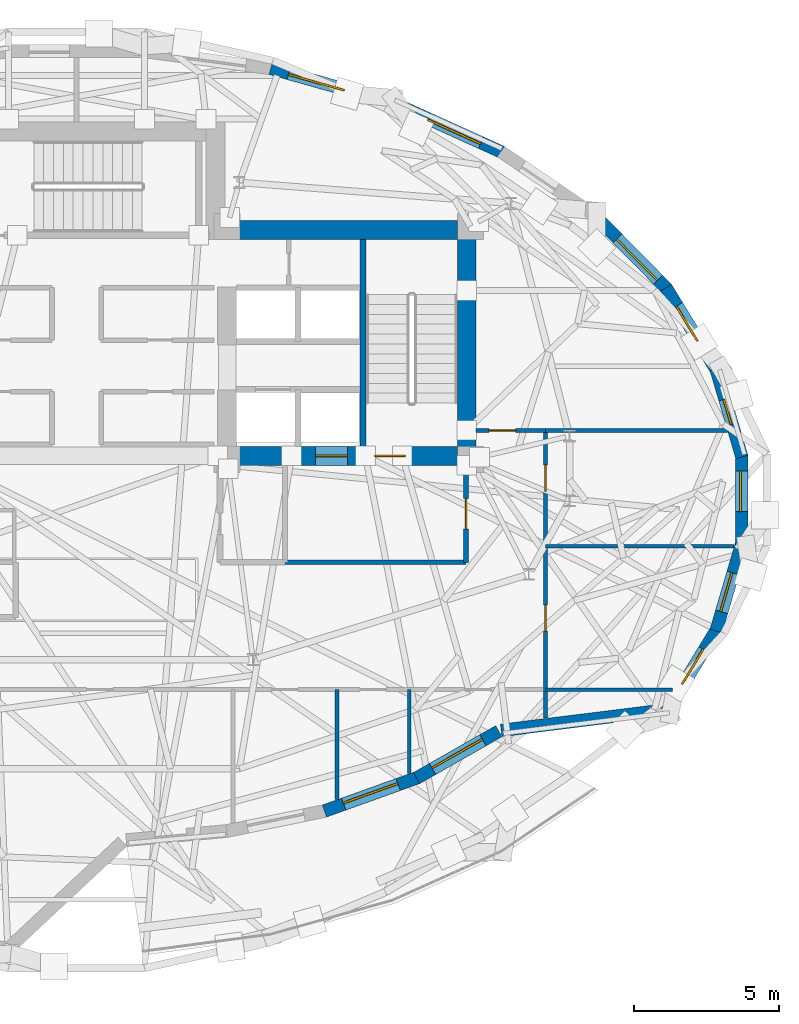
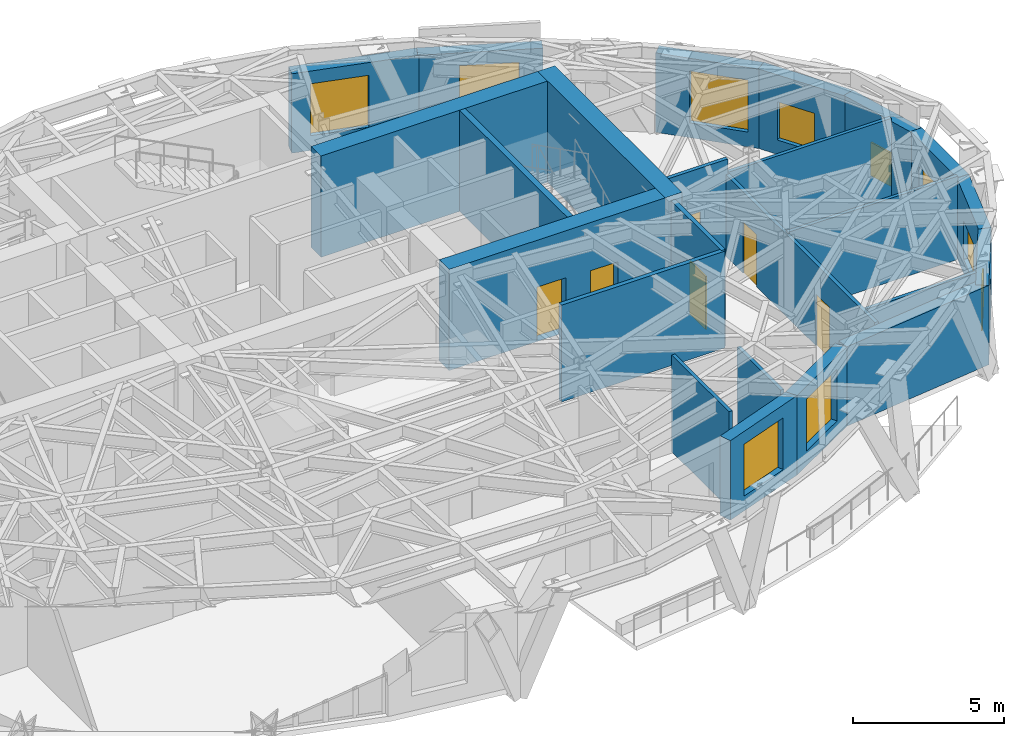
# One storey, part 11 of 15: 24 walls, 10 windows, 6 doors, 16 openings.
"""IFC4 building model written with IfcOpenShell, lengths in metres."""

from ifc_helpers import new_model, si_unit, direction, frame, frame_2d, origin, place, context, subcontext, project, spatial, rectangle, extrude, material, layer, layer_set, type_object, element, fill, save


model = new_model("IFC4")

# Units and contexts
model_context = context("Model", 3, precision=1e-05, world=origin(), true_north=direction((0.0, 1.0)))
body_context = subcontext(model_context, "Body", "Model", "MODEL_VIEW")
ifc_project = project(units=[si_unit("LENGTHUNIT", "METRE"), si_unit("AREAUNIT", "SQUARE_METRE"), si_unit("VOLUMEUNIT", "CUBIC_METRE"), si_unit("PLANEANGLEUNIT", "RADIAN"), si_unit("MASSUNIT", "GRAM", prefix="KILO")], contexts=[model_context])

# Site, building, storey
site_placement = place(None, origin())
site = spatial("IfcSite", under=ifc_project, at=site_placement, CompositionType="ELEMENT")
building_placement = place(site_placement, origin())
building = spatial("IfcBuilding", under=site, at=building_placement, Name="Keldmark Tower", CompositionType="ELEMENT")
storey_placement = place(building_placement, frame((0.0, 0.0, 205.89990234375)))
storey = spatial("IfcBuildingStorey", under=building, at=storey_placement, Name="L57", CompositionType="ELEMENT", Elevation=205.89990234375)

# Wall, openings, doors
ifc_material_1 = material(Name="Acoustic Double-Layer Gypsum Corridor Partition", Category="gypsum")
ifc_layer_1 = layer(ifc_material_1, 0.139892578125)
ifc_layer_set_1 = layer_set([ifc_layer_1], Name="Acoustic Double-Layer Gypsum Corridor Partition")
wall_type_1 = type_object("IfcWallType", Name="Acoustic Corridor Partition 140 mm", PredefinedType="PARTITIONING", material=ifc_layer_set_1)
wall_1_placement = place(storey_placement, frame((16.199951171875, -7.53662109375, 0.0), z_axis=(0.0, 0.0, 1.0), x_axis=(0.0, 1.0, 0.0)))
wall_1 = element("IfcWall", 1, at=wall_1_placement, inside=storey, type_object=wall_type_1, Name="L57 Acoustic Corridor Partition 140 mm COR-E", PredefinedType="PARTITIONING", context=body_context, shape_type="SweptSolid", body=[
    extrude(rectangle(XDim=9.9365234375, YDim=0.139892578125, at=frame_2d((4.96826171875, 0.0))), origin(), (0.0, 0.0, 1.0), 3.30712890625),
])
opening_1_placement = place(wall_1_placement, frame((3.011474609375, 0.0, 0.0)))
opening_1 = element("IfcOpeningElement", 2, at=opening_1_placement, cuts=wall_1, Name="Opening D-IN090", PredefinedType="OPENING", context=body_context, shape_type="SweptSolid", body=[
    extrude(rectangle(XDim=0.89990234375, YDim=2.10009765625, at=frame_2d((0.449951171875, 1.050048828125))), frame((0.0, 0.079833984375, 0.0), z_axis=(0.0, -1.0, 0.0), x_axis=(1.0, 0.0, 0.0)), (0.0, 0.0, 1.0), 0.159912109375),
])
opening_2_placement = place(wall_1_placement, frame((7.846435546875, 0.0, 0.0)))
opening_2 = element("IfcOpeningElement", 3, at=opening_2_placement, cuts=wall_1, Name="Opening D-IN090", PredefinedType="OPENING", context=body_context, shape_type="SweptSolid", body=[
    extrude(rectangle(XDim=0.89990234375, YDim=2.10009765625, at=frame_2d((0.449951171875, 1.050048828125))), frame((0.0, 0.079833984375, 0.0), z_axis=(0.0, -1.0, 0.0), x_axis=(1.0, 0.0, 0.0)), (0.0, 0.0, 1.0), 0.159912109375),
])
ifc_material_2 = material(Name="Stained American White Oak Veneer", Category="wood")
door_type_1 = type_object("IfcDoorType", Name="Interior Door 900x2100", OperationType="NOTDEFINED", PredefinedType="DOOR", material=ifc_material_2)
door_1_placement = place(opening_1_placement, origin())
door_1 = element("IfcDoor", 4, at=door_1_placement, inside=storey, type_object=door_type_1, Name="L57 Interior Door 900x2100 D-ER-1-L57", OperationType="SINGLE_SWING_LEFT", OverallHeight=2.10009765625, OverallWidth=0.89990234375, PredefinedType="DOOR", context=body_context, shape_type="SweptSolid", body=[
    extrude(rectangle(XDim=0.89990234375, YDim=2.10009765625, at=frame_2d((0.449951171875, 1.050048828125))), frame((0.0, 0.02490234375, 0.0), z_axis=(0.0, -1.0, 0.0), x_axis=(1.0, 0.0, 0.0)), (0.0, 0.0, 1.0), 0.050048828125),
])
fill(opening_1, door_1)
door_2_placement = place(opening_2_placement, origin())
door_2 = element("IfcDoor", 5, at=door_2_placement, inside=storey, type_object=door_type_1, Name="L57 Interior Door 900x2100 D-ER-2-L57", OperationType="SINGLE_SWING_RIGHT", OverallHeight=2.10009765625, OverallWidth=0.89990234375, PredefinedType="DOOR", context=body_context, shape_type="SweptSolid", body=[
    extrude(rectangle(XDim=0.89990234375, YDim=2.10009765625, at=frame_2d((0.449951171875, 1.050048828125))), frame((0.0, 0.02490234375, 0.0), z_axis=(0.0, -1.0, 0.0), x_axis=(1.0, 0.0, 0.0)), (0.0, 0.0, 1.0), 0.050048828125),
])
fill(opening_2, door_2)

# Wall, opening, door
wall_2_placement = place(storey_placement, frame((13.800048828125, 2.39990234375, 0.0), z_axis=(0.0, 0.0, 1.0), x_axis=(1.0, 0.0, 0.0)))
wall_2 = element("IfcWall", 6, at=wall_2_placement, inside=storey, type_object=wall_type_1, Name="L57 Acoustic Corridor Partition 140 mm COR-EN-CAP", PredefinedType="PARTITIONING", context=body_context, shape_type="SweptSolid", body=[
    extrude(rectangle(XDim=2.39990234375, YDim=0.139892578125, at=frame_2d((1.199951171875, 0.0))), origin(), (0.0, 0.0, 1.0), 3.920166015625),
])
opening_3_placement = place(wall_2_placement, frame((0.43994140625, 0.0, 0.0)))
opening_3 = element("IfcOpeningElement", 7, at=opening_3_placement, cuts=wall_2, Name="Opening D-EX092", PredefinedType="OPENING", context=body_context, shape_type="SweptSolid", body=[
    extrude(rectangle(XDim=0.919921875, YDim=2.14990234375, at=frame_2d((0.4599609375, 1.074951171875))), frame((0.0, 0.079833984375, 0.0), z_axis=(0.0, -1.0, 0.0), x_axis=(1.0, 0.0, 0.0)), (0.0, 0.0, 1.0), 0.159912109375),
])
ifc_material_3 = material(Name="Flush American Ash Executive Office Door", Category="wood")
door_type_2 = type_object("IfcDoorType", Name="Executive Office Door 920x2150", OperationType="NOTDEFINED", PredefinedType="DOOR", material=ifc_material_3)
door_3_placement = place(opening_3_placement, origin())
door_3 = element("IfcDoor", 8, at=door_3_placement, inside=storey, type_object=door_type_2, Name="L57 Executive Office Door 920x2150 D-NRNE-L57", OperationType="SINGLE_SWING_RIGHT", OverallHeight=2.14990234375, OverallWidth=0.919921875, PredefinedType="DOOR", context=body_context, shape_type="SweptSolid", body=[
    extrude(rectangle(XDim=0.919921875, YDim=2.14990234375, at=frame_2d((0.4599609375, 1.074951171875))), frame((0.0, 0.02490234375, 0.0), z_axis=(0.0, -1.0, 0.0), x_axis=(1.0, 0.0, 0.0)), (0.0, 0.0, 1.0), 0.050048828125),
])
fill(opening_3, door_3)

# Walls
ifc_material_4 = material(Name="Acoustic Gypsum Board Interior Partition", Category="gypsum")
ifc_layer_2 = layer(ifc_material_4, 0.1298828125)
ifc_layer_set_2 = layer_set([ifc_layer_2], Name="Acoustic Gypsum Board Interior Partition")
wall_type_2 = type_object("IfcWallType", Name="Interior Partition 130 mm", PredefinedType="PARTITIONING", material=ifc_layer_set_2)
wall_3_placement = place(storey_placement, frame((8.991943359375, -10.344482421875, 0.0), z_axis=(0.0, 0.0, 1.0), x_axis=(0.0, 1.0, 0.0)))
element("IfcWall", 9, at=wall_3_placement, inside=storey, type_object=wall_type_2, Name="L57 Interior Partition 130 mm S-DIV-3", PredefinedType="PARTITIONING", context=body_context, shape_type="SweptSolid", body=[
    extrude(rectangle(XDim=3.79443359375, YDim=0.1298828125, at=frame_2d((1.897216796875, 0.0))), origin(), (0.0, 0.0, 1.0), 3.920166015625),
])
wall_4_placement = place(storey_placement, frame((11.491943359375, -9.4462890625, 0.0), z_axis=(0.0, 0.0, 1.0), x_axis=(0.0, 1.0, 0.0)))
element("IfcWall", 10, at=wall_4_placement, inside=storey, type_object=wall_type_2, Name="L57 Interior Partition 130 mm S-DIV-4", PredefinedType="PARTITIONING", context=body_context, shape_type="SweptSolid", body=[
    extrude(rectangle(XDim=2.896240234375, YDim=0.1298828125, at=frame_2d((1.4482421875, 0.0))), origin(), (0.0, 0.0, 1.0), 3.373046875),
])
wall_5_placement = place(storey_placement, frame((16.199951171875, 2.39990234375, 0.0), z_axis=(0.0, 0.0, 1.0), x_axis=(1.0, 0.0, 0.0)))
element("IfcWall", 11, at=wall_5_placement, inside=storey, type_object=wall_type_2, Name="L57 Interior Partition 130 mm E-CAP-N", PredefinedType="PARTITIONING", context=body_context, shape_type="SweptSolid", body=[
    extrude(rectangle(XDim=6.271240234375, YDim=0.1298828125, at=frame_2d((3.1357421875, 0.0))), origin(), (0.0, 0.0, 1.0), 3.373046875),
])
wall_6_placement = place(storey_placement, frame((16.199951171875, -6.550048828125, 0.0), z_axis=(0.0, 0.0, 1.0), x_axis=(1.0, 0.0, 0.0)))
element("IfcWall", 12, at=wall_6_placement, inside=storey, type_object=wall_type_2, Name="L57 Interior Partition 130 mm E-CAP-S", PredefinedType="PARTITIONING", context=body_context, shape_type="SweptSolid", body=[
    extrude(rectangle(XDim=4.37255859375, YDim=0.1298828125, at=frame_2d((2.186279296875, 0.0))), origin(), (0.0, 0.0, 1.0), 3.217041015625),
])
wall_7_placement = place(storey_placement, frame((16.199951171875, -1.60009765625, 0.0), z_axis=(0.0, 0.0, 1.0), x_axis=(1.0, 0.0, 0.0)))
element("IfcWall", 13, at=wall_7_placement, inside=storey, type_object=wall_type_2, Name="L57 Interior Partition 130 mm E-DIV-1", PredefinedType="PARTITIONING", context=body_context, shape_type="SweptSolid", body=[
    extrude(rectangle(XDim=6.505859375, YDim=0.1298828125, at=frame_2d((3.2529296875, 0.0))), origin(), (0.0, 0.0, 1.0), 3.373046875),
])
ifc_material_5 = material(Name="Type X Fire-Rated Gypsum Partition Assembly", Category="gypsum")
ifc_layer_3 = layer(ifc_material_5, 0.1650390625)
ifc_layer_set_3 = layer_set([ifc_layer_3], Name="Type X Fire-Rated Gypsum Partition Assembly")
wall_type_3 = type_object("IfcWallType", Name="Rated Partition 165 mm", PredefinedType="PARTITIONING", material=ifc_layer_set_3)
wall_8_placement = place(storey_placement, frame((7.199951171875, -2.14990234375, 0.0), z_axis=(0.0, 0.0, 1.0), x_axis=(1.0, 0.0, 0.0)))
element("IfcWall", 14, at=wall_8_placement, inside=storey, type_object=wall_type_3, Name="L57 Rated Partition 165 mm FSAE-E-S", PredefinedType="PARTITIONING", context=body_context, shape_type="SweptSolid", body=[
    extrude(rectangle(XDim=6.25, YDim=0.1650390625, at=frame_2d((3.125, 0.0))), origin(), (0.0, 0.0, 1.0), 3.920166015625),
])

# Wall, opening, door
wall_9_placement = place(storey_placement, frame((13.449951171875, -2.14990234375, 0.0), z_axis=(0.0, 0.0, 1.0), x_axis=(0.0, 1.0, 0.0)))
wall_9 = element("IfcWall", 15, at=wall_9_placement, inside=storey, type_object=wall_type_3, Name="L57 Rated Partition 165 mm FSAE-E-E", PredefinedType="PARTITIONING", context=body_context, shape_type="SweptSolid", body=[
    extrude(rectangle(XDim=3.39990234375, YDim=0.1650390625, at=frame_2d((1.699951171875, 0.0))), origin(), (0.0, 0.0, 1.0), 3.920166015625),
])
opening_4_placement = place(wall_9_placement, frame((1.14990234375, 0.0, 0.0)))
opening_4 = element("IfcOpeningElement", 16, at=opening_4_placement, cuts=wall_9, Name="Opening D-FL105", PredefinedType="OPENING", context=body_context, shape_type="SweptSolid", body=[
    extrude(rectangle(XDim=1.050048828125, YDim=2.14990234375, at=frame_2d((0.52490234375, 1.074951171875))), frame((0.0, 0.092529296875, 0.0), z_axis=(0.0, -1.0, 0.0), x_axis=(1.0, 0.0, 0.0)), (0.0, 0.0, 1.0), 0.18505859375),
])
ifc_material_6 = material(Name="Fire-Rated Mineral-Core Door and Vision Lite", Category="metal")
door_type_3 = type_object("IfcDoorType", Name="Fire Lobby Door 1050x2150", OperationType="NOTDEFINED", PredefinedType="DOOR", material=ifc_material_6)
door_4_placement = place(opening_4_placement, origin())
door_4 = element("IfcDoor", 17, at=door_4_placement, inside=storey, type_object=door_type_3, Name="L57 Fire Lobby Door 1050x2150 D-FSAEE-OUT-L57", OperationType="SINGLE_SWING_LEFT", OverallHeight=2.14990234375, OverallWidth=1.050048828125, PredefinedType="DOOR", context=body_context, shape_type="SweptSolid", body=[
    extrude(rectangle(XDim=1.050048828125, YDim=2.14990234375, at=frame_2d((0.52490234375, 1.074951171875))), frame((0.0, 0.02490234375, 0.0), z_axis=(0.0, -1.0, 0.0), x_axis=(1.0, 0.0, 0.0)), (0.0, 0.0, 1.0), 0.050048828125),
])
fill(opening_4, door_4)

# Wall
ifc_material_7 = material(Name="Concrete C50/60", Category="concrete")
ifc_layer_4 = layer(ifc_material_7, 0.219970703125)
ifc_layer_set_4 = layer_set([ifc_layer_4], Name="Concrete C50/60")
wall_type_4 = type_object("IfcWallType", Name="Stair Core Shear Wall 220 mm", PredefinedType="SHEAR", material=ifc_layer_set_4)
wall_10_placement = place(storey_placement, frame((9.889892578125, 1.85009765625, 0.0), z_axis=(0.0, 0.0, 1.0), x_axis=(0.0, 1.0, 0.0)))
element("IfcWall", 18, at=wall_10_placement, inside=storey, type_object=wall_type_4, Name="L57 East Stair Core Shear Wall", PredefinedType="SHEAR", context=body_context, shape_type="SweptSolid", body=[
    extrude(rectangle(XDim=7.14990234375, YDim=0.219970703125, at=frame_2d((3.574951171875, 0.0))), origin(), (0.0, 0.0, 1.0), 4.10009765625),
])

# Wall, opening, window
ifc_material_8 = material(Name="Ironspot Manganese Brick and Kasota Buff Limestone Spandrel Assembly", Category="masonry")
ifc_layer_5 = layer(ifc_material_8, 0.43994140625)
ifc_layer_set_5 = layer_set([ifc_layer_5], Name="Ironspot Manganese Brick and Kasota Buff Limestone Spandrel Assembly")
wall_type_5 = type_object("IfcWallType", Name="Tower Brick Pier and Spandrel Wall 440 mm", PredefinedType="STANDARD", material=ifc_layer_set_5)
wall_11_placement = place(storey_placement, frame((22.085693359375, 4.524658203125, 0.0), z_axis=(0.0, 0.0, 1.0), x_axis=(0.281477355005, -0.959567870773, 0.0)))
wall_11 = element("IfcWall", 19, at=wall_11_placement, inside=storey, type_object=wall_type_5, Name="L57 Exterior Brick and Spandrel Wall 01", PredefinedType="STANDARD", context=body_context, shape_type="SweptSolid", body=[
    extrude(rectangle(XDim=3.165771484375, YDim=0.43994140625, at=frame_2d((1.5830078125, 0.0))), origin(), (0.0, 0.0, 1.0), 3.215087890625),
])
opening_5_placement = place(wall_11_placement, frame((1.083740234375, 0.0, 0.419921875)))
opening_5 = element("IfcOpeningElement", 20, at=opening_5_placement, cuts=wall_11, Name="Opening W-09", PredefinedType="OPENING", context=body_context, shape_type="SweptSolid", body=[
    extrude(rectangle(XDim=0.89990234375, YDim=1.35009765625, at=frame_2d((0.449951171875, 0.675048828125))), frame((0.0, 0.22998046875, 0.0), z_axis=(0.0, -1.0, 0.0), x_axis=(1.0, 0.0, 0.0)), (0.0, 0.0, 1.0), 0.4599609375),
])
ifc_material_9 = material(Name="Thermally Broken Anodized Aluminum and Triple Low-E Argon Glazing", Category="aluminium")
window_type_1 = type_object("IfcWindowType", Name="Corner Pier Deep-Set Window 900x1350", PartitioningType="SINGLE_PANEL", PredefinedType="WINDOW", material=ifc_material_9)
window_1_placement = place(opening_5_placement, origin())
window_1 = element("IfcWindow", 21, at=window_1_placement, inside=storey, type_object=window_type_1, Name="L57 Deep-Set Window 01", OverallHeight=1.35009765625, OverallWidth=0.89990234375, PartitioningType="SINGLE_PANEL", PredefinedType="WINDOW", context=body_context, shape_type="SweptSolid", body=[
    extrude(rectangle(XDim=0.89990234375, YDim=1.35009765625, at=frame_2d((0.449951171875, 0.675048828125))), frame((0.0, -0.010009765625, 0.0), z_axis=(0.0, -1.0, 0.0), x_axis=(1.0, 0.0, 0.0)), (0.0, 0.0, 1.0), 0.06005859375),
])
fill(opening_5, window_1)

wall_12_placement = place(storey_placement, frame((20.361083984375, 7.33349609375, 0.0), z_axis=(0.0, 0.0, 1.0), x_axis=(0.521214394333, -0.853425775999, 0.0)))
wall_12 = element("IfcWall", 22, at=wall_12_placement, inside=storey, type_object=wall_type_5, Name="L57 Exterior Brick and Spandrel Wall 02", PredefinedType="STANDARD", context=body_context, shape_type="SweptSolid", body=[
    extrude(rectangle(XDim=3.353271484375, YDim=0.43994140625, at=frame_2d((1.6767578125, 0.0))), origin(), (0.0, 0.0, 1.0), 3.215087890625),
])
opening_6_placement = place(wall_12_placement, frame((0.73388671875, 0.0, 0.580078125)))
opening_6 = element("IfcOpeningElement", 23, at=opening_6_placement, cuts=wall_12, Name="Opening W-08", PredefinedType="OPENING", context=body_context, shape_type="SweptSolid", body=[
    extrude(rectangle(XDim=1.39990234375, YDim=1.550048828125, at=frame_2d((0.699951171875, 0.77490234375))), frame((0.0, 0.22998046875, 0.0), z_axis=(0.0, -1.0, 0.0), x_axis=(1.0, 0.0, 0.0)), (0.0, 0.0, 1.0), 0.4599609375),
])
ifc_material_10 = material(Name="Thermally Broken Anodized Aluminum and Triple Low-E Argon Glazing", Category="aluminium")
window_type_2 = type_object("IfcWindowType", Name="Residential Corner Punched Window 1400x1550", PartitioningType="SINGLE_PANEL", PredefinedType="WINDOW", material=ifc_material_10)
window_2_placement = place(opening_6_placement, origin())
window_2 = element("IfcWindow", 24, at=window_2_placement, inside=storey, type_object=window_type_2, Name="L57 Deep-Set Window 02", OverallHeight=1.550048828125, OverallWidth=1.39990234375, PartitioningType="SINGLE_PANEL", PredefinedType="WINDOW", context=body_context, shape_type="SweptSolid", body=[
    extrude(rectangle(XDim=1.39990234375, YDim=1.550048828125, at=frame_2d((0.699951171875, 0.77490234375))), frame((0.0, -0.010009765625, 0.0), z_axis=(0.0, -1.0, 0.0), x_axis=(1.0, 0.0, 0.0)), (0.0, 0.0, 1.0), 0.06005859375),
])
fill(opening_6, window_2)

wall_13_placement = place(storey_placement, frame((17.8544921875, 9.868896484375, 0.0), z_axis=(0.0, 0.0, 1.0), x_axis=(0.701887992659, -0.712287333708, 0.0)))
wall_13 = element("IfcWall", 25, at=wall_13_placement, inside=storey, type_object=wall_type_5, Name="L57 Exterior Brick and Spandrel Wall 03", PredefinedType="STANDARD", context=body_context, shape_type="SweptSolid", body=[
    extrude(rectangle(XDim=3.615478515625, YDim=0.43994140625, at=frame_2d((1.8076171875, 0.0))), origin(), (0.0, 0.0, 1.0), 3.215087890625),
])
opening_7_placement = place(wall_13_placement, frame((1.17236328125, 0.0, 0.60009765625)))
opening_7 = element("IfcOpeningElement", 26, at=opening_7_placement, cuts=wall_13, Name="Opening W-06", PredefinedType="OPENING", context=body_context, shape_type="SweptSolid", body=[
    extrude(rectangle(XDim=2.0, YDim=2.10009765625, at=frame_2d((1.0, 1.050048828125))), frame((0.0, 0.22998046875, 0.0), z_axis=(0.0, -1.0, 0.0), x_axis=(1.0, 0.0, 0.0)), (0.0, 0.0, 1.0), 0.4599609375),
])
ifc_material_11 = material(Name="Thermally Broken Anodized Aluminum and Triple Low-E Argon Glazing", Category="aluminium")
window_type_3 = type_object("IfcWindowType", Name="Sky Lounge Tall Punched Window 2000x2100", PartitioningType="SINGLE_PANEL", PredefinedType="WINDOW", material=ifc_material_11)
window_3_placement = place(opening_7_placement, origin())
window_3 = element("IfcWindow", 27, at=window_3_placement, inside=storey, type_object=window_type_3, Name="L57 Deep-Set Window 03", OverallHeight=2.10009765625, OverallWidth=2.0, PartitioningType="SINGLE_PANEL", PredefinedType="WINDOW", context=body_context, shape_type="SweptSolid", body=[
    extrude(rectangle(XDim=2.0, YDim=2.10009765625, at=frame_2d((1.0, 1.050048828125))), frame((0.0, -0.010009765625, 0.0), z_axis=(0.0, -1.0, 0.0), x_axis=(1.0, 0.0, 0.0)), (0.0, 0.0, 1.0), 0.06005859375),
])
fill(opening_7, window_3)

wall_14_placement = place(storey_placement, frame((10.892578125, 13.73388671875, 0.0), z_axis=(0.0, 0.0, 1.0), x_axis=(0.910881102331, -0.412668895624, 0.0)))
wall_14 = element("IfcWall", 28, at=wall_14_placement, inside=storey, type_object=wall_type_5, Name="L57 Exterior Brick and Spandrel Wall 05", PredefinedType="STANDARD", context=body_context, shape_type="SweptSolid", body=[
    extrude(rectangle(XDim=4.169677734375, YDim=0.43994140625, at=frame_2d((2.0849609375, 0.0))), origin(), (0.0, 0.0, 1.0), 3.215087890625),
])
opening_8_placement = place(wall_14_placement, frame((1.379638671875, 0.0, 0.60009765625)))
opening_8 = element("IfcOpeningElement", 29, at=opening_8_placement, cuts=wall_14, Name="Opening W-06", PredefinedType="OPENING", context=body_context, shape_type="SweptSolid", body=[
    extrude(rectangle(XDim=2.0, YDim=2.10009765625, at=frame_2d((1.0, 1.050048828125))), frame((0.0, 0.22998046875, 0.0), z_axis=(0.0, -1.0, 0.0), x_axis=(1.0, 0.0, 0.0)), (0.0, 0.0, 1.0), 0.4599609375),
])
window_4_placement = place(opening_8_placement, origin())
window_4 = element("IfcWindow", 30, at=window_4_placement, inside=storey, type_object=window_type_3, Name="L57 Deep-Set Window 05", OverallHeight=2.10009765625, OverallWidth=2.0, PartitioningType="SINGLE_PANEL", PredefinedType="WINDOW", context=body_context, shape_type="SweptSolid", body=[
    extrude(rectangle(XDim=2.0, YDim=2.10009765625, at=frame_2d((1.0, 1.050048828125))), frame((0.0, -0.010009765625, 0.0), z_axis=(0.0, -1.0, 0.0), x_axis=(1.0, 0.0, 0.0)), (0.0, 0.0, 1.0), 0.06005859375),
])
fill(opening_8, window_4)

wall_15_placement = place(storey_placement, frame((6.7041015625, 14.907958984375, 0.0), z_axis=(0.0, 0.0, 1.0), x_axis=(0.962743881764, -0.270414899969, 0.0)))
wall_15 = element("IfcWall", 31, at=wall_15_placement, inside=storey, type_object=wall_type_5, Name="L57 Exterior Brick and Spandrel Wall 06", PredefinedType="STANDARD", context=body_context, shape_type="SweptSolid", body=[
    extrude(rectangle(XDim=4.38330078125, YDim=0.43994140625, at=frame_2d((2.191650390625, 0.0))), origin(), (0.0, 0.0, 1.0), 3.215087890625),
])
opening_9_placement = place(wall_15_placement, frame((0.646240234375, 0.0, 0.60009765625)))
opening_9 = element("IfcOpeningElement", 32, at=opening_9_placement, cuts=wall_15, Name="Opening W-06", PredefinedType="OPENING", context=body_context, shape_type="SweptSolid", body=[
    extrude(rectangle(XDim=2.0, YDim=2.10009765625, at=frame_2d((1.0, 1.050048828125))), frame((0.0, 0.22998046875, 0.0), z_axis=(0.0, -1.0, 0.0), x_axis=(1.0, 0.0, 0.0)), (0.0, 0.0, 1.0), 0.4599609375),
])
window_5_placement = place(opening_9_placement, origin())
window_5 = element("IfcWindow", 33, at=window_5_placement, inside=storey, type_object=window_type_3, Name="L57 Deep-Set Window 06", OverallHeight=2.10009765625, OverallWidth=2.0, PartitioningType="SINGLE_PANEL", PredefinedType="WINDOW", context=body_context, shape_type="SweptSolid", body=[
    extrude(rectangle(XDim=2.0, YDim=2.10009765625, at=frame_2d((1.0, 1.050048828125))), frame((0.0, -0.010009765625, 0.0), z_axis=(0.0, -1.0, 0.0), x_axis=(1.0, 0.0, 0.0)), (0.0, 0.0, 1.0), 0.06005859375),
])
fill(opening_9, window_5)

wall_16_placement = place(storey_placement, frame((11.777587890625, -9.586181640625, 0.0), z_axis=(0.0, 0.0, 1.0), x_axis=(-0.941148128718, -0.337994378372, 0.0)))
wall_16 = element("IfcWall", 34, at=wall_16_placement, inside=storey, type_object=wall_type_5, Name="L57 Exterior Brick and Spandrel Wall 27", PredefinedType="STANDARD", context=body_context, shape_type="SweptSolid", body=[
    extrude(rectangle(XDim=3.42236328125, YDim=0.43994140625, at=frame_2d((1.711181640625, 0.0))), origin(), (0.0, 0.0, 1.0), 3.218994140625),
])
opening_10_placement = place(wall_16_placement, frame((0.711181640625, 0.0, 0.60009765625)))
opening_10 = element("IfcOpeningElement", 35, at=opening_10_placement, cuts=wall_16, Name="Opening W-06", PredefinedType="OPENING", context=body_context, shape_type="SweptSolid", body=[
    extrude(rectangle(XDim=2.0, YDim=2.10009765625, at=frame_2d((1.0, 1.050048828125))), frame((0.0, 0.22998046875, 0.0), z_axis=(0.0, -1.0, 0.0), x_axis=(1.0, 0.0, 0.0)), (0.0, 0.0, 1.0), 0.4599609375),
])
window_6_placement = place(opening_10_placement, origin())
window_6 = element("IfcWindow", 36, at=window_6_placement, inside=storey, type_object=window_type_3, Name="L57 Deep-Set Window 27", OverallHeight=2.10009765625, OverallWidth=2.0, PartitioningType="SINGLE_PANEL", PredefinedType="WINDOW", context=body_context, shape_type="SweptSolid", body=[
    extrude(rectangle(XDim=2.0, YDim=2.10009765625, at=frame_2d((1.0, 1.050048828125))), frame((0.0, -0.010009765625, 0.0), z_axis=(0.0, -1.0, 0.0), x_axis=(1.0, 0.0, 0.0)), (0.0, 0.0, 1.0), 0.06005859375),
])
fill(opening_10, window_6)

wall_17_placement = place(storey_placement, frame((14.581787109375, -7.984375, 0.0), z_axis=(0.0, 0.0, 1.0), x_axis=(-0.868821952469, -0.49512464583, 0.0)))
wall_17 = element("IfcWall", 37, at=wall_17_placement, inside=storey, type_object=wall_type_5, Name="L57 Exterior Brick and Spandrel Wall 28", PredefinedType="STANDARD", context=body_context, shape_type="SweptSolid", body=[
    extrude(rectangle(XDim=3.26708984375, YDim=0.43994140625, at=frame_2d((1.633544921875, 0.0))), origin(), (0.0, 0.0, 1.0), 3.218994140625),
])
opening_11_placement = place(wall_17_placement, frame((0.633544921875, 0.0, 0.60009765625)))
opening_11 = element("IfcOpeningElement", 38, at=opening_11_placement, cuts=wall_17, Name="Opening W-06", PredefinedType="OPENING", context=body_context, shape_type="SweptSolid", body=[
    extrude(rectangle(XDim=2.0, YDim=2.10009765625, at=frame_2d((1.0, 1.050048828125))), frame((0.0, 0.22998046875, 0.0), z_axis=(0.0, -1.0, 0.0), x_axis=(1.0, 0.0, 0.0)), (0.0, 0.0, 1.0), 0.4599609375),
])
window_7_placement = place(opening_11_placement, origin())
window_7 = element("IfcWindow", 39, at=window_7_placement, inside=storey, type_object=window_type_3, Name="L57 Deep-Set Window 28", OverallHeight=2.10009765625, OverallWidth=2.0, PartitioningType="SINGLE_PANEL", PredefinedType="WINDOW", context=body_context, shape_type="SweptSolid", body=[
    extrude(rectangle(XDim=2.0, YDim=2.10009765625, at=frame_2d((1.0, 1.050048828125))), frame((0.0, -0.010009765625, 0.0), z_axis=(0.0, -1.0, 0.0), x_axis=(1.0, 0.0, 0.0)), (0.0, 0.0, 1.0), 0.06005859375),
])
fill(opening_11, window_7)

# Wall
wall_18_placement = place(storey_placement, frame((20.521728515625, -7.229736328125, 0.0), z_axis=(0.0, 0.0, 1.0), x_axis=(-0.992376185076, -0.123245719172, 0.0)))
element("IfcWall", 40, at=wall_18_placement, inside=storey, type_object=wall_type_5, Name="L57 Exterior Brick and Spandrel Wall 29", PredefinedType="STANDARD", context=body_context, shape_type="SweptSolid", body=[
    extrude(rectangle(XDim=5.903076171875, YDim=0.43994140625, at=frame_2d((2.95166015625, 0.0))), origin(), (0.0, 0.0, 1.0), 3.215087890625),
])

# Wall, opening, window
wall_19_placement = place(storey_placement, frame((22.10888671875, -4.4716796875, 0.0), z_axis=(0.0, 0.0, 1.0), x_axis=(-0.521214394333, -0.853425775999, 0.0)))
wall_19 = element("IfcWall", 41, at=wall_19_placement, inside=storey, type_object=wall_type_5, Name="L57 Exterior Brick and Spandrel Wall 30", PredefinedType="STANDARD", context=body_context, shape_type="SweptSolid", body=[
    extrude(rectangle(XDim=3.353271484375, YDim=0.43994140625, at=frame_2d((1.6767578125, 0.0))), origin(), (0.0, 0.0, 1.0), 3.215087890625),
])
opening_12_placement = place(wall_19_placement, frame((0.8310546875, 0.0, 0.580078125)))
opening_12 = element("IfcOpeningElement", 42, at=opening_12_placement, cuts=wall_19, Name="Opening W-08", PredefinedType="OPENING", context=body_context, shape_type="SweptSolid", body=[
    extrude(rectangle(XDim=1.39990234375, YDim=1.550048828125, at=frame_2d((0.699951171875, 0.77490234375))), frame((0.0, 0.22998046875, 0.0), z_axis=(0.0, -1.0, 0.0), x_axis=(1.0, 0.0, 0.0)), (0.0, 0.0, 1.0), 0.4599609375),
])
window_8_placement = place(opening_12_placement, origin())
window_8 = element("IfcWindow", 43, at=window_8_placement, inside=storey, type_object=window_type_2, Name="L57 Deep-Set Window 30", OverallHeight=1.550048828125, OverallWidth=1.39990234375, PartitioningType="SINGLE_PANEL", PredefinedType="WINDOW", context=body_context, shape_type="SweptSolid", body=[
    extrude(rectangle(XDim=1.39990234375, YDim=1.550048828125, at=frame_2d((0.699951171875, 0.77490234375))), frame((0.0, -0.010009765625, 0.0), z_axis=(0.0, -1.0, 0.0), x_axis=(1.0, 0.0, 0.0)), (0.0, 0.0, 1.0), 0.06005859375),
])
fill(opening_12, window_8)

wall_20_placement = place(storey_placement, frame((22.976806640625, -1.48681640625, 0.0), z_axis=(0.0, 0.0, 1.0), x_axis=(-0.281477355005, -0.959567870773, 0.0)))
wall_20 = element("IfcWall", 44, at=wall_20_placement, inside=storey, type_object=wall_type_5, Name="L57 Exterior Brick and Spandrel Wall 31", PredefinedType="STANDARD", context=body_context, shape_type="SweptSolid", body=[
    extrude(rectangle(XDim=3.165771484375, YDim=0.43994140625, at=frame_2d((1.5830078125, 0.0))), origin(), (0.0, 0.0, 1.0), 3.215087890625),
])
opening_13_placement = place(wall_20_placement, frame((1.077880859375, 0.0, 0.580078125)))
opening_13 = element("IfcOpeningElement", 45, at=opening_13_placement, cuts=wall_20, Name="Opening W-08", PredefinedType="OPENING", context=body_context, shape_type="SweptSolid", body=[
    extrude(rectangle(XDim=1.39990234375, YDim=1.550048828125, at=frame_2d((0.699951171875, 0.77490234375))), frame((0.0, 0.22998046875, 0.0), z_axis=(0.0, -1.0, 0.0), x_axis=(1.0, 0.0, 0.0)), (0.0, 0.0, 1.0), 0.4599609375),
])
window_9_placement = place(opening_13_placement, origin())
window_9 = element("IfcWindow", 46, at=window_9_placement, inside=storey, type_object=window_type_2, Name="L57 Deep-Set Window 31", OverallHeight=1.550048828125, OverallWidth=1.39990234375, PartitioningType="SINGLE_PANEL", PredefinedType="WINDOW", context=body_context, shape_type="SweptSolid", body=[
    extrude(rectangle(XDim=1.39990234375, YDim=1.550048828125, at=frame_2d((0.699951171875, 0.77490234375))), frame((0.0, -0.010009765625, 0.0), z_axis=(0.0, -1.0, 0.0), x_axis=(1.0, 0.0, 0.0)), (0.0, 0.0, 1.0), 0.06005859375),
])
fill(opening_13, window_9)

wall_21_placement = place(storey_placement, frame((22.9677734375, 1.548583984375, 0.0), z_axis=(0.0, 0.0, 1.0), x_axis=(0.0, -1.0, 0.0)))
wall_21 = element("IfcWall", 47, at=wall_21_placement, inside=storey, type_object=wall_type_5, Name="L57 Exterior Brick and Spandrel Wall 32", PredefinedType="STANDARD", context=body_context, shape_type="SweptSolid", body=[
    extrude(rectangle(XDim=3.09716796875, YDim=0.43994140625, at=frame_2d((1.548583984375, 0.0))), origin(), (0.0, 0.0, 1.0), 3.218994140625),
])
opening_14_placement = place(wall_21_placement, frame((0.54931640625, 0.0, 0.580078125)))
opening_14 = element("IfcOpeningElement", 48, at=opening_14_placement, cuts=wall_21, Name="Opening W-08", PredefinedType="OPENING", context=body_context, shape_type="SweptSolid", body=[
    extrude(rectangle(XDim=1.39990234375, YDim=1.550048828125, at=frame_2d((0.699951171875, 0.77490234375))), frame((0.0, 0.22998046875, 0.0), z_axis=(0.0, -1.0, 0.0), x_axis=(1.0, 0.0, 0.0)), (0.0, 0.0, 1.0), 0.4599609375),
])
window_10_placement = place(opening_14_placement, origin())
window_10 = element("IfcWindow", 49, at=window_10_placement, inside=storey, type_object=window_type_2, Name="L57 Deep-Set Window 32", OverallHeight=1.550048828125, OverallWidth=1.39990234375, PartitioningType="SINGLE_PANEL", PredefinedType="WINDOW", context=body_context, shape_type="SweptSolid", body=[
    extrude(rectangle(XDim=1.39990234375, YDim=1.550048828125, at=frame_2d((0.699951171875, 0.77490234375))), frame((0.0, -0.010009765625, 0.0), z_axis=(0.0, -1.0, 0.0), x_axis=(1.0, 0.0, 0.0)), (0.0, 0.0, 1.0), 0.06005859375),
])
fill(opening_14, window_10)

# Walls
ifc_material_12 = material(Name="Concrete C50/60", Category="concrete")
ifc_layer_6 = layer(ifc_material_12, 0.64990234375)
ifc_layer_set_6 = layer_set([ifc_layer_6], Name="Concrete C50/60")
wall_type_6 = type_object("IfcWallType", Name="Upper-Mid Core Shear Wall 650 mm", PredefinedType="SHEAR", material=ifc_layer_set_6)
wall_22_placement = place(storey_placement, frame((13.47509765625, 1.199951171875, 0.0), z_axis=(0.0, 0.0, 1.0), x_axis=(0.0, 1.0, 0.0)))
element("IfcWall", 50, at=wall_22_placement, inside=storey, type_object=wall_type_6, Name="L57 East Core Outer Shear Wall", PredefinedType="SHEAR", context=body_context, shape_type="SweptSolid", body=[
    extrude(rectangle(XDim=8.449951171875, YDim=0.64990234375, at=frame_2d((4.22509765625, 0.0))), origin(), (0.0, 0.0, 1.0), 4.10009765625),
])
wall_23_placement = place(storey_placement, frame((4.47509765625, 9.324951171875, 0.0), z_axis=(0.0, 0.0, 1.0), x_axis=(1.0, 0.0, 0.0)))
element("IfcWall", 51, at=wall_23_placement, inside=storey, type_object=wall_type_6, Name="L57 East Core North Shear Wall", PredefinedType="SHEAR", context=body_context, shape_type="SweptSolid", body=[
    extrude(rectangle(XDim=9.324951171875, YDim=0.64990234375, at=frame_2d((4.66259765625, 0.0))), origin(), (0.0, 0.0, 1.0), 4.10009765625),
])

# Wall, openings, doors
wall_24_placement = place(storey_placement, frame((13.800048828125, 1.52490234375, 0.0), z_axis=(0.0, 0.0, 1.0), x_axis=(-1.0, 0.0, 0.0)))
wall_24 = element("IfcWall", 52, at=wall_24_placement, inside=storey, type_object=wall_type_6, Name="L57 East Core South Shear Wall", PredefinedType="SHEAR", context=body_context, shape_type="SweptSolid", body=[
    extrude(rectangle(XDim=8.925048828125, YDim=0.64990234375, at=frame_2d((4.46240234375, 0.0))), origin(), (0.0, 0.0, 1.0), 4.10009765625),
])
opening_15_placement = place(wall_24_placement, frame((2.449951171875, 0.0, 0.0)))
opening_15 = element("IfcOpeningElement", 53, at=opening_15_placement, cuts=wall_24, Name="Opening D-ST105", PredefinedType="OPENING", context=body_context, shape_type="SweptSolid", body=[
    extrude(rectangle(XDim=1.050048828125, YDim=2.14990234375, at=frame_2d((0.52490234375, 1.074951171875))), frame((0.0, 0.3349609375, 0.0), z_axis=(0.0, -1.0, 0.0), x_axis=(1.0, 0.0, 0.0)), (0.0, 0.0, 1.0), 0.669921875),
])
opening_16_placement = place(wall_24_placement, frame((4.449951171875, 0.0, 0.0)))
opening_16 = element("IfcOpeningElement", 54, at=opening_16_placement, cuts=wall_24, Name="Opening LD-110", PredefinedType="OPENING", context=body_context, shape_type="SweptSolid", body=[
    extrude(rectangle(XDim=1.10009765625, YDim=2.199951171875, at=frame_2d((0.550048828125, 1.10009765625))), frame((0.0, 0.3349609375, 0.0), z_axis=(0.0, -1.0, 0.0), x_axis=(1.0, 0.0, 0.0)), (0.0, 0.0, 1.0), 0.669921875),
])
ifc_material_13 = material(Name="Brushed Bronze Hoistway Sliding Leaf", Category="metal")
door_type_4 = type_object("IfcDoorType", Name="Lift Landing Sliding Door 1100x2200", OperationType="SLIDING_TO_LEFT", PredefinedType="DOOR", material=ifc_material_13)
door_5_placement = place(opening_16_placement, origin())
door_5 = element("IfcDoor", 55, at=door_5_placement, inside=storey, type_object=door_type_4, Name="L57 Lift Landing Sliding Door 1100x2200 LD-EL-FS2-L57", OperationType="SLIDING_TO_LEFT", OverallHeight=2.199951171875, OverallWidth=1.10009765625, PredefinedType="DOOR", context=body_context, shape_type="SweptSolid", body=[
    extrude(rectangle(XDim=1.10009765625, YDim=2.199951171875, at=frame_2d((0.550048828125, 1.10009765625))), frame((0.0, 0.02490234375, 0.0), z_axis=(0.0, -1.0, 0.0), x_axis=(1.0, 0.0, 0.0)), (0.0, 0.0, 1.0), 0.050048828125),
])
fill(opening_16, door_5)
ifc_material_14 = material(Name="Hollow Metal Fire-Rated Door Assembly", Category="metal")
door_type_5 = type_object("IfcDoorType", Name="Stair Fire Door 1050x2150", OperationType="NOTDEFINED", PredefinedType="DOOR", material=ifc_material_14)
door_6_placement = place(opening_15_placement, origin())
door_6 = element("IfcDoor", 56, at=door_6_placement, inside=storey, type_object=door_type_5, Name="L57 Stair Fire Door 1050x2150 D-ST2-L57", OperationType="SINGLE_SWING_LEFT", OverallHeight=2.14990234375, OverallWidth=1.050048828125, PredefinedType="DOOR", context=body_context, shape_type="SweptSolid", body=[
    extrude(rectangle(XDim=1.050048828125, YDim=2.14990234375, at=frame_2d((0.52490234375, 1.074951171875))), frame((0.0, 0.02490234375, 0.0), z_axis=(0.0, -1.0, 0.0), x_axis=(1.0, 0.0, 0.0)), (0.0, 0.0, 1.0), 0.050048828125),
])
fill(opening_15, door_6)

save(model, "model.ifc")
